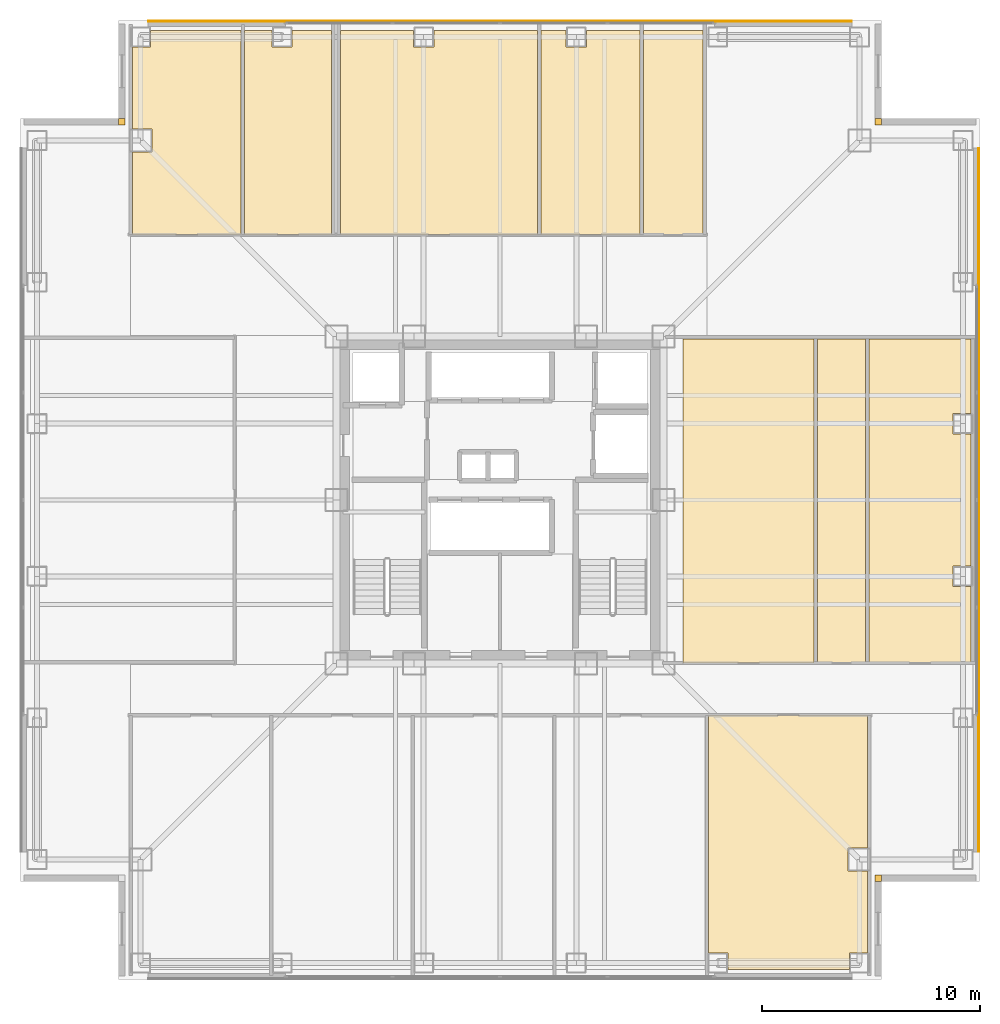
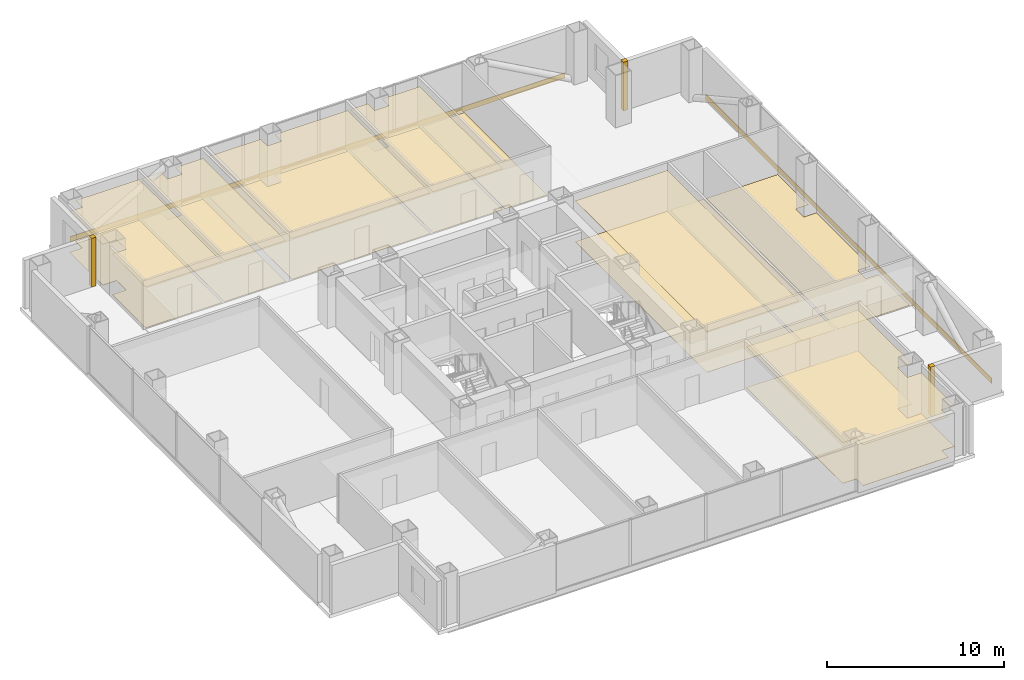
# One storey, part 13 of 13: 20 coverings.
"""IFC4 building model written with IfcOpenShell, lengths in metres."""

from ifc_helpers import new_model, si_unit, direction, frame, frame_2d, origin, place, context, subcontext, project, spatial, polyline, rectangle, outline, extrude, material, layer, layer_set, type_object, element, save


model = new_model("IFC4")

# Units and contexts
model_context = context("Model", 3, precision=1e-05, world=origin(), true_north=direction((0.0, 1.0)))
body_context = subcontext(model_context, "Body", "Model", "MODEL_VIEW")
ifc_project = project(units=[si_unit("LENGTHUNIT", "METRE"), si_unit("AREAUNIT", "SQUARE_METRE"), si_unit("VOLUMEUNIT", "CUBIC_METRE"), si_unit("PLANEANGLEUNIT", "RADIAN"), si_unit("MASSUNIT", "GRAM", prefix="KILO")], contexts=[model_context])

# Site, building, storey
site_placement = place(None, origin())
site = spatial("IfcSite", under=ifc_project, at=site_placement, CompositionType="ELEMENT")
building_placement = place(site_placement, origin())
building = spatial("IfcBuilding", under=site, at=building_placement, Name="Trevonay Congress Spire", CompositionType="ELEMENT")
storey_placement = place(building_placement, frame((0.0, 0.0, 112.0)))
storey = spatial("IfcBuildingStorey", under=building, at=storey_placement, Name="L28", CompositionType="ELEMENT", Elevation=112.0)

# Coverings
ifc_material_1 = material(Name="Acoustic Mineral Fibre Board", Category="gypsum")
ifc_layer_1 = layer(ifc_material_1, 0.02490234375, Name="Acoustic Mineral Fibre Board")
ifc_layer_set_1 = layer_set([ifc_layer_1], Name="Acoustic Mineral Fibre Board")
covering_type_1 = type_object("IfcCoveringType", Name="COV-CEIL-ACOUSTIC", PredefinedType="CEILING", material=ifc_layer_set_1)
covering_1_placement = place(storey_placement, frame((0.0, 0.0, 2.81005859375)))
element("IfcCovering", 1, at=covering_1_placement, inside=storey, type_object=covering_type_1, Name="L28 Directorate Corner Office acoustic suspended ceiling", PredefinedType="CEILING", context=body_context, shape_type="SweptSolid", body=[
    extrude(outline(polyline([(10.4599609375, -21.550048828125), (10.4599609375, -20.7900390625), (9.580078125, -20.7900390625), (9.580078125, -9.8798828125), (16.8701171875, -9.8798828125), (16.8701171875, -15.965087890625), (15.965087890625, -15.965087890625), (15.965087890625, -17.034912109375), (16.8701171875, -17.034912109375), (16.8701171875, -20.7900390625), (16.0400390625, -20.7900390625), (16.0400390625, -21.550048828125), (10.4599609375, -21.550048828125)])), origin(), (0.0, 0.0, 1.0), 0.02490234375),
])
covering_2_placement = place(storey_placement, frame((0.0, 0.0, 2.81005859375)))
element("IfcCovering", 2, at=covering_2_placement, inside=storey, type_object=covering_type_1, Name="L28 Archive Registry Office acoustic suspended ceiling", PredefinedType="CEILING", context=body_context, shape_type="SweptSolid", body=[
    extrude(outline(polyline([(-11.8798828125, 21.550048828125), (-11.8798828125, 12.179931640625), (-16.8701171875, 12.179931640625), (-16.8701171875, 15.965087890625), (-15.965087890625, 15.965087890625), (-15.965087890625, 17.034912109375), (-16.8701171875, 17.034912109375), (-16.8701171875, 20.7900390625), (-16.0400390625, 20.7900390625), (-16.0400390625, 21.550048828125), (-11.8798828125, 21.550048828125)])), origin(), (0.0, 0.0, 1.0), 0.02490234375),
])
covering_3_placement = place(storey_placement, frame((0.0, 0.0, 2.81005859375)))
element("IfcCovering", 3, at=covering_3_placement, inside=storey, type_object=covering_type_1, Name="L28 Staff Coffee Kitchen acoustic suspended ceiling", PredefinedType="CEILING", context=body_context, shape_type="SweptSolid", body=[
    extrude(outline(polyline([(-7.72998046875, 21.550048828125), (-7.72998046875, 12.179931640625), (-11.719970703125, 12.179931640625), (-11.719970703125, 21.550048828125), (-10.4599609375, 21.550048828125), (-10.4599609375, 20.7900390625), (-9.5400390625, 20.7900390625), (-9.5400390625, 21.550048828125), (-7.72998046875, 21.550048828125)])), origin(), (0.0, 0.0, 1.0), 0.02490234375),
])
covering_4_placement = place(storey_placement, frame((0.0, 0.0, 2.81005859375)))
element("IfcCovering", 4, at=covering_4_placement, inside=storey, type_object=covering_type_1, Name="L28 North-East Policy Analysts Office acoustic suspended ceiling", PredefinedType="CEILING", context=body_context, shape_type="SweptSolid", body=[
    extrude(outline(polyline([(1.719970703125, 21.550048828125), (1.719970703125, 12.179931640625), (-7.320068359375, 12.179931640625), (-7.320068359375, 21.550048828125), (-3.9599609375, 21.550048828125), (-3.9599609375, 20.7900390625), (-3.0400390625, 20.7900390625), (-3.0400390625, 21.550048828125), (1.719970703125, 21.550048828125)])), origin(), (0.0, 0.0, 1.0), 0.02490234375),
])
covering_5_placement = place(storey_placement, frame((0.0, 0.0, 2.81005859375)))
element("IfcCovering", 5, at=covering_5_placement, inside=storey, type_object=covering_type_1, Name="L28 Project Review Room acoustic suspended ceiling", PredefinedType="CEILING", context=body_context, shape_type="SweptSolid", body=[
    extrude(outline(polyline([(6.419921875, 21.550048828125), (6.419921875, 12.179931640625), (1.8798828125, 12.179931640625), (1.8798828125, 21.550048828125), (3.0400390625, 21.550048828125), (3.0400390625, 20.7900390625), (3.9599609375, 20.7900390625), (3.9599609375, 21.550048828125), (6.419921875, 21.550048828125)])), origin(), (0.0, 0.0, 1.0), 0.02490234375),
])
covering_6_placement = place(storey_placement, frame((0.0, 0.0, 2.81005859375)))
element("IfcCovering", 6, at=covering_6_placement, inside=storey, type_object=covering_type_1, Name="L28 East Secretariat Office acoustic suspended ceiling", PredefinedType="CEILING", context=body_context, shape_type="SweptSolid", body=[
    extrude(outline(polyline([(8.39990234375, -7.47998046875), (14.419921875, -7.47998046875), (14.419921875, 7.39990234375), (8.39990234375, 7.39990234375), (8.39990234375, -7.47998046875)])), origin(), (0.0, 0.0, 1.0), 0.02490234375),
])
ifc_material_2 = material(Name="Polished Granite Floor Tile", Category="masonry")
ifc_layer_2 = layer(ifc_material_2, 0.02001953125, Name="Polished Granite Floor Tile")
ifc_layer_set_2 = layer_set([ifc_layer_2], Name="Polished Granite Floor Tile")
covering_type_2 = type_object("IfcCoveringType", Name="COV-FLOOR-STONE", PredefinedType="FLOORING", material=ifc_layer_set_2)
covering_7_placement = place(storey_placement, origin())
element("IfcCovering", 7, at=covering_7_placement, inside=storey, type_object=covering_type_2, Name="L28 Staff Coffee Kitchen floor finish", PredefinedType="FLOORING", context=body_context, shape_type="SweptSolid", body=[
    extrude(outline(polyline([(-7.72998046875, 21.550048828125), (-7.72998046875, 12.179931640625), (-11.719970703125, 12.179931640625), (-11.719970703125, 21.550048828125), (-10.4599609375, 21.550048828125), (-10.4599609375, 20.7900390625), (-9.5400390625, 20.7900390625), (-9.5400390625, 21.550048828125), (-7.72998046875, 21.550048828125)])), origin(), (0.0, 0.0, 1.0), 0.02001953125),
])
covering_8_placement = place(storey_placement, origin())
element("IfcCovering", 8, at=covering_8_placement, inside=storey, type_object=covering_type_2, Name="L28 Female Restroom WC floor finish", PredefinedType="FLOORING", context=body_context, shape_type="SweptSolid", body=[
    extrude(outline(polyline([(6.580078125, 12.179931640625), (9.320068359375, 12.179931640625), (9.320068359375, 21.550048828125), (6.580078125, 21.550048828125), (6.580078125, 12.179931640625)])), origin(), (0.0, 0.0, 1.0), 0.02001953125),
])
covering_9_placement = place(storey_placement, origin())
element("IfcCovering", 9, at=covering_9_placement, inside=storey, type_object=covering_type_2, Name="L28 Male Restroom WC floor finish", PredefinedType="FLOORING", context=body_context, shape_type="SweptSolid", body=[
    extrude(outline(polyline([(14.580078125, -7.47998046875), (16.77001953125, -7.47998046875), (16.77001953125, 7.39990234375), (14.580078125, 7.39990234375), (14.580078125, -7.47998046875)])), origin(), (0.0, 0.0, 1.0), 0.02001953125),
])
covering_10_placement = place(storey_placement, origin())
element("IfcCovering", 10, at=covering_10_placement, inside=storey, type_object=covering_type_2, Name="L28 Floor Supplies and Copy Room floor finish", PredefinedType="FLOORING", context=body_context, shape_type="SweptSolid", body=[
    extrude(outline(polyline([(21.6201171875, -7.47998046875), (16.929931640625, -7.47998046875), (16.929931640625, 7.39990234375), (21.6201171875, 7.39990234375), (21.6201171875, 3.9599609375), (20.7900390625, 3.9599609375), (20.7900390625, 3.0400390625), (21.6201171875, 3.0400390625), (21.6201171875, -3.0400390625), (20.7900390625, -3.0400390625), (20.7900390625, -3.9599609375), (21.6201171875, -3.9599609375), (21.6201171875, -7.47998046875)])), origin(), (0.0, 0.0, 1.0), 0.02001953125),
])
ifc_material_3 = material(Name="Engineered Oak Flooring", Category="wood")
ifc_layer_3 = layer(ifc_material_3, 0.01806640625, Name="Engineered Oak Flooring")
ifc_layer_set_3 = layer_set([ifc_layer_3], Name="Engineered Oak Flooring")
covering_type_3 = type_object("IfcCoveringType", Name="COV-FLOOR-TIMBER", PredefinedType="FLOORING", material=ifc_layer_set_3)
covering_11_placement = place(storey_placement, origin())
element("IfcCovering", 11, at=covering_11_placement, inside=storey, type_object=covering_type_3, Name="L28 Directorate Corner Office floor finish", PredefinedType="FLOORING", context=body_context, shape_type="SweptSolid", body=[
    extrude(outline(polyline([(10.4599609375, -21.550048828125), (10.4599609375, -20.7900390625), (9.580078125, -20.7900390625), (9.580078125, -9.8798828125), (16.8701171875, -9.8798828125), (16.8701171875, -15.965087890625), (15.965087890625, -15.965087890625), (15.965087890625, -17.034912109375), (16.8701171875, -17.034912109375), (16.8701171875, -20.7900390625), (16.0400390625, -20.7900390625), (16.0400390625, -21.550048828125), (10.4599609375, -21.550048828125)])), origin(), (0.0, 0.0, 1.0), 0.01806640625),
])
covering_12_placement = place(storey_placement, origin())
element("IfcCovering", 12, at=covering_12_placement, inside=storey, type_object=covering_type_3, Name="L28 Archive Registry Office floor finish", PredefinedType="FLOORING", context=body_context, shape_type="SweptSolid", body=[
    extrude(outline(polyline([(-11.8798828125, 21.550048828125), (-11.8798828125, 12.179931640625), (-16.8701171875, 12.179931640625), (-16.8701171875, 15.965087890625), (-15.965087890625, 15.965087890625), (-15.965087890625, 17.034912109375), (-16.8701171875, 17.034912109375), (-16.8701171875, 20.7900390625), (-16.0400390625, 20.7900390625), (-16.0400390625, 21.550048828125), (-11.8798828125, 21.550048828125)])), origin(), (0.0, 0.0, 1.0), 0.01806640625),
])
covering_13_placement = place(storey_placement, origin())
element("IfcCovering", 13, at=covering_13_placement, inside=storey, type_object=covering_type_3, Name="L28 North-East Policy Analysts Office floor finish", PredefinedType="FLOORING", context=body_context, shape_type="SweptSolid", body=[
    extrude(outline(polyline([(1.719970703125, 21.550048828125), (1.719970703125, 12.179931640625), (-7.320068359375, 12.179931640625), (-7.320068359375, 21.550048828125), (-3.9599609375, 21.550048828125), (-3.9599609375, 20.7900390625), (-3.0400390625, 20.7900390625), (-3.0400390625, 21.550048828125), (1.719970703125, 21.550048828125)])), origin(), (0.0, 0.0, 1.0), 0.01806640625),
])
covering_14_placement = place(storey_placement, origin())
element("IfcCovering", 14, at=covering_14_placement, inside=storey, type_object=covering_type_3, Name="L28 Project Review Room floor finish", PredefinedType="FLOORING", context=body_context, shape_type="SweptSolid", body=[
    extrude(outline(polyline([(6.419921875, 21.550048828125), (6.419921875, 12.179931640625), (1.8798828125, 12.179931640625), (1.8798828125, 21.550048828125), (3.0400390625, 21.550048828125), (3.0400390625, 20.7900390625), (3.9599609375, 20.7900390625), (3.9599609375, 21.550048828125), (6.419921875, 21.550048828125)])), origin(), (0.0, 0.0, 1.0), 0.01806640625),
])
covering_15_placement = place(storey_placement, origin())
element("IfcCovering", 15, at=covering_15_placement, inside=storey, type_object=covering_type_3, Name="L28 East Secretariat Office floor finish", PredefinedType="FLOORING", context=body_context, shape_type="SweptSolid", body=[
    extrude(outline(polyline([(8.39990234375, -7.47998046875), (14.419921875, -7.47998046875), (14.419921875, 7.39990234375), (8.39990234375, 7.39990234375), (8.39990234375, -7.47998046875)])), origin(), (0.0, 0.0, 1.0), 0.01806640625),
])
ifc_material_4 = material(Name="Pale Anodised Aluminium EN AW-6063-T6", Category="aluminium")
ifc_layer_4 = layer(ifc_material_4, 0.0400390625, Name="Pale Anodised Aluminium EN AW-6063-T6")
ifc_layer_set_4 = layer_set([ifc_layer_4], Name="Pale Anodised Aluminium EN AW-6063-T6")
covering_type_4 = type_object("IfcCoveringType", Name="COV-SPANDREL-PALE-METAL", PredefinedType="CLADDING", material=ifc_layer_set_4)
for number, where, z_axis, x_axis, name in (
    (16, (-16.14990234375, 21.97998046875, -0.239990234375), (0.0, 0.0, 1.0), (1.0, 0.0, 0.0), "L28 N pale-metal slab-edge spandrel cladding"),
    (17, (21.97998046875, -16.14990234375, -0.239990234375), (0.0, 0.0, 1.0), (0.0, 1.0, 0.0), "L28 E pale-metal slab-edge spandrel cladding"),
):
    element("IfcCovering", number, at=place(storey_placement, frame(where, z_axis=z_axis, x_axis=x_axis)), inside=storey, type_object=covering_type_4, Name=name, PredefinedType="CLADDING", context=body_context, shape_type="SweptSolid", body=[
        extrude(rectangle(XDim=32.2998046875, YDim=0.0400390625, at=frame_2d((16.14990234375, 0.0))), origin(), (0.0, 0.0, 1.0), 0.360107421875),
    ])
covering_16_placement = place(storey_placement, origin())
element("IfcCovering", 18, at=covering_16_placement, inside=storey, type_object=covering_type_4, Name="L28 SE re-entrant notch corner closure trim", PredefinedType="CLADDING", context=body_context, shape_type="SweptSolid", body=[
    extrude(outline(polyline([(17.199951171875, -17.5), (17.5, -17.5), (17.5, -17.199951171875), (17.199951171875, -17.199951171875), (17.199951171875, -17.5)])), origin(), (0.0, 0.0, 1.0), 3.360107421875),
])
covering_17_placement = place(storey_placement, origin())
element("IfcCovering", 19, at=covering_17_placement, inside=storey, type_object=covering_type_4, Name="L28 NE re-entrant notch corner closure trim", PredefinedType="CLADDING", context=body_context, shape_type="SweptSolid", body=[
    extrude(outline(polyline([(17.199951171875, 17.199951171875), (17.5, 17.199951171875), (17.5, 17.5), (17.199951171875, 17.5), (17.199951171875, 17.199951171875)])), origin(), (0.0, 0.0, 1.0), 3.360107421875),
])
covering_18_placement = place(storey_placement, origin())
element("IfcCovering", 20, at=covering_18_placement, inside=storey, type_object=covering_type_4, Name="L28 NW re-entrant notch corner closure trim", PredefinedType="CLADDING", context=body_context, shape_type="SweptSolid", body=[
    extrude(outline(polyline([(-17.5, 17.199951171875), (-17.199951171875, 17.199951171875), (-17.199951171875, 17.5), (-17.5, 17.5), (-17.5, 17.199951171875)])), origin(), (0.0, 0.0, 1.0), 3.360107421875),
])

save(model, "model.ifc")
